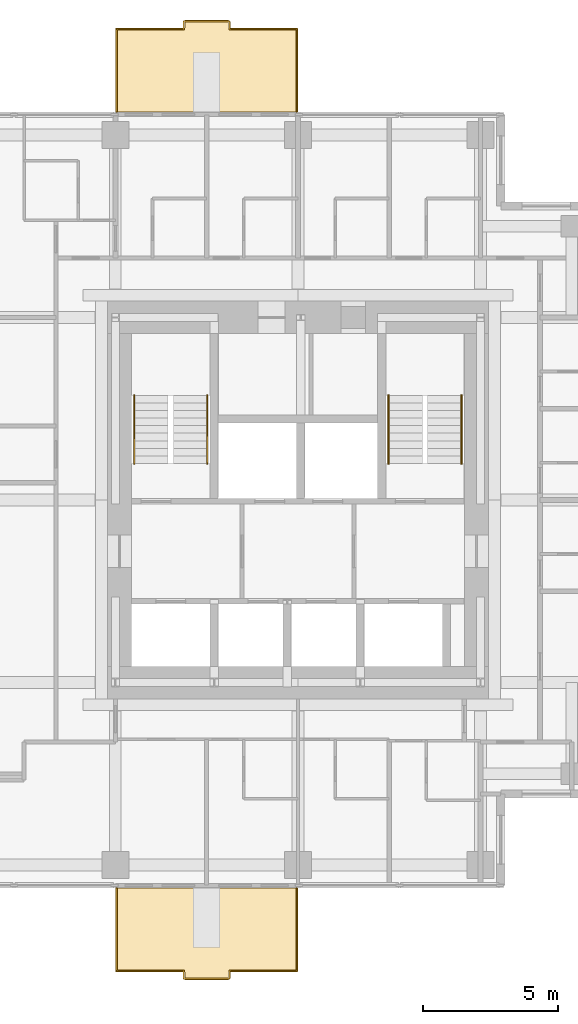
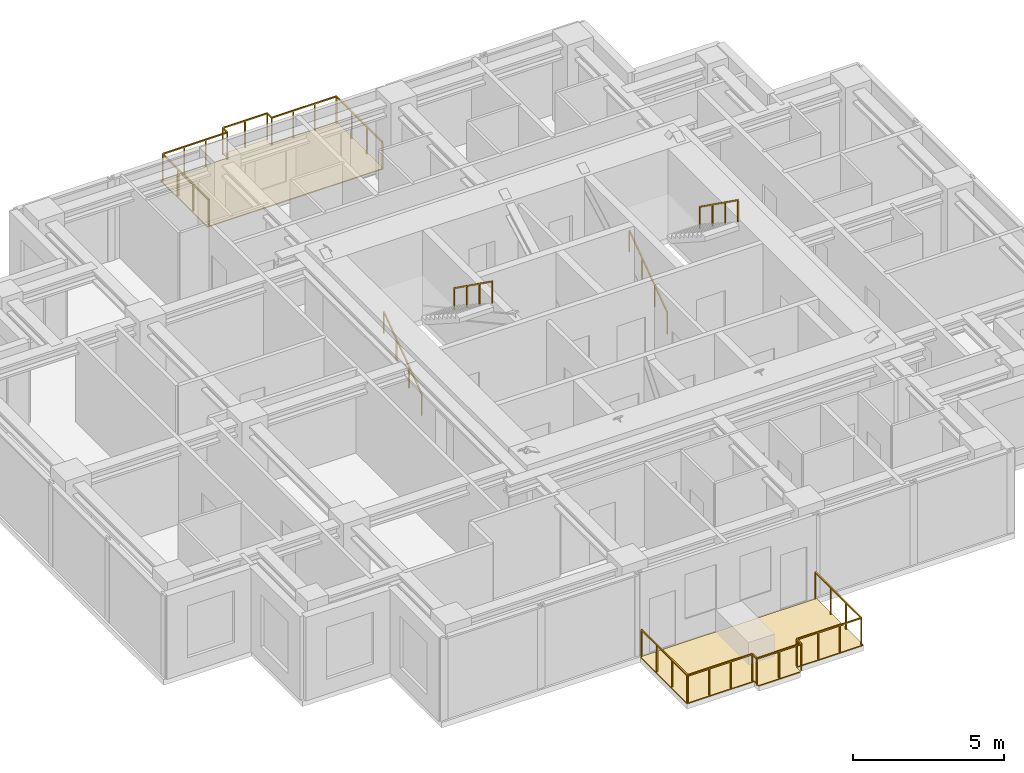
# One storey, part 8 of 8: 6 railings, 2 coverings.
"""IFC4 building model written with IfcOpenShell, lengths in metres."""

from ifc_helpers import new_model, si_unit, direction, frame, origin, origin_2d, place, context, subcontext, project, spatial, polyline, rectangle, outline, extrude, material, layer, layer_set, type_object, element, save


model = new_model("IFC4")

# Units and contexts
model_context = context("Model", 3, precision=1e-05, world=origin(), true_north=direction((0.0, 1.0)))
body_context = subcontext(model_context, "Body", "Model", "MODEL_VIEW")
ifc_project = project(units=[si_unit("LENGTHUNIT", "METRE"), si_unit("AREAUNIT", "SQUARE_METRE"), si_unit("VOLUMEUNIT", "CUBIC_METRE"), si_unit("PLANEANGLEUNIT", "RADIAN"), si_unit("MASSUNIT", "GRAM", prefix="KILO")], contexts=[model_context])

# Site, building, storey
site_placement = place(None, origin())
site = spatial("IfcSite", under=ifc_project, at=site_placement, CompositionType="ELEMENT")
building_placement = place(site_placement, origin())
building = spatial("IfcBuilding", under=site, at=building_placement, Name="Nyansa Garden Tower", CompositionType="ELEMENT")
storey_placement = place(building_placement, frame((0.0, 0.0, 233.10009765625)))
storey = spatial("IfcBuildingStorey", under=building, at=storey_placement, Name="L63", CompositionType="ELEMENT", Elevation=233.10009765625)

# Coverings
ifc_material_1 = material(Name="Hardwood decking on pedestals", Category="wood")
ifc_layer = layer(ifc_material_1, 0.0400390625)
ifc_layer_set = layer_set([ifc_layer], Name="Balcony decking DK40")
covering_type = type_object("IfcCoveringType", Name="Balcony decking DK40", PredefinedType="FLOORING", material=ifc_layer_set)
covering_1_placement = place(storey_placement, frame((0.0, 0.0, -0.0400390625)))
element("IfcCovering", 1, at=covering_1_placement, inside=storey, type_object=covering_type, Name="Balcony decking L63", PredefinedType="FLOORING", context=body_context, shape_type="SweptSolid", body=[
    extrude(outline(polyline([(13.5, 5.89990234375), (20.25, 5.89990234375), (20.25, 2.800048828125), (17.675048828125, 2.800048828125), (17.675048828125, 2.5), (16.074951171875, 2.5), (16.074951171875, 2.800048828125), (13.5, 2.800048828125), (13.5, 5.89990234375)])), origin(), (0.0, 0.0, 1.0), 0.0400390625),
])
covering_2_placement = place(storey_placement, frame((0.0, 0.0, -0.0400390625)))
element("IfcCovering", 2, at=covering_2_placement, inside=storey, type_object=covering_type, Name="Balcony decking L63", PredefinedType="FLOORING", context=body_context, shape_type="SweptSolid", body=[
    extrude(outline(polyline([(13.5, 34.60009765625), (20.25, 34.60009765625), (20.25, 37.699951171875), (17.675048828125, 37.699951171875), (17.675048828125, 38.0), (16.074951171875, 38.0), (16.074951171875, 37.699951171875), (13.5, 37.699951171875), (13.5, 34.60009765625)])), origin(), (0.0, 0.0, 1.0), 0.0400390625),
])

# Railings
ifc_material_2 = material(Name="Black powder-coated steel balusters, laminated glass infill", Category="steel")
railing_type_1 = type_object("IfcRailingType", Name="Balcony guard G1", PredefinedType="GUARDRAIL", material=ifc_material_2)
railing_1_placement = place(storey_placement, frame((13.550048828125, 5.89990234375, 0.0)))
element("IfcRailing", 3, at=railing_1_placement, inside=storey, type_object=railing_type_1, Name="Balcony guard L63", PredefinedType="GUARDRAIL", context=body_context, shape_type="SweptSolid", body=[
    extrude(rectangle(XDim=0.048095703125, YDim=0.048095703125, at=origin_2d()), frame((0.0, 0.0, 1.076171875), z_axis=(0.0, -1.0, 0.0), x_axis=(1.0, 0.0, 0.0)), (0.0, 0.0, 1.0), 3.0498046875),
    extrude(rectangle(XDim=0.048095703125, YDim=0.048095703125, at=origin_2d()), frame((0.0, -3.0498046875, 1.076171875), z_axis=(1.0, 0.0, 0.0), x_axis=(0.0, 1.0, 0.0)), (0.0, 0.0, 1.0), 2.474853515625),
    extrude(rectangle(XDim=0.048095703125, YDim=0.048095703125, at=origin_2d()), frame((2.474853515625, -3.0498046875, 1.076171875), z_axis=(0.0, -1.0, 0.0), x_axis=(1.0, 0.0, 0.0)), (0.0, 0.0, 1.0), 0.300048828125),
    extrude(rectangle(XDim=0.048095703125, YDim=0.048095703125, at=origin_2d()), frame((2.474853515625, -3.349853515625, 1.076171875), z_axis=(1.0, 0.0, 0.0), x_axis=(0.0, 1.0, 0.0)), (0.0, 0.0, 1.0), 1.7001953125),
    extrude(rectangle(XDim=0.048095703125, YDim=0.048095703125, at=origin_2d()), frame((4.175048828125, -3.349853515625, 1.076171875), z_axis=(0.0, 1.0, 0.0), x_axis=(-1.0, 0.0, 0.0)), (0.0, 0.0, 1.0), 0.300048828125),
    extrude(rectangle(XDim=0.048095703125, YDim=0.048095703125, at=origin_2d()), frame((4.175048828125, -3.0498046875, 1.076171875), z_axis=(1.0, 0.0, 0.0), x_axis=(0.0, 1.0, 0.0)), (0.0, 0.0, 1.0), 2.474853515625),
    extrude(rectangle(XDim=0.048095703125, YDim=0.048095703125, at=origin_2d()), frame((6.64990234375, -3.0498046875, 1.076171875), z_axis=(0.0, 1.0, 0.0), x_axis=(-1.0, 0.0, 0.0)), (0.0, 0.0, 1.0), 3.0498046875),
    extrude(rectangle(XDim=0.0419921875, YDim=0.0419921875, at=origin_2d()), origin(), (0.0, 0.0, 1.0), 1.052001953125),
    extrude(rectangle(XDim=0.0419921875, YDim=0.0419921875, at=origin_2d()), frame((0.0, -1.0166015625, 0.0)), (0.0, 0.0, 1.0), 1.052001953125),
    extrude(rectangle(XDim=0.0419921875, YDim=0.0419921875, at=origin_2d()), frame((0.0, -2.033203125, 0.0)), (0.0, 0.0, 1.0), 1.052001953125),
    extrude(rectangle(XDim=0.0419921875, YDim=0.0419921875, at=origin_2d()), frame((0.0, -3.0498046875, 0.0)), (0.0, 0.0, 1.0), 1.052001953125),
    extrude(rectangle(XDim=0.0419921875, YDim=0.0419921875, at=origin_2d()), frame((0.824951171875, -3.0498046875, 0.0)), (0.0, 0.0, 1.0), 1.052001953125),
    extrude(rectangle(XDim=0.0419921875, YDim=0.0419921875, at=origin_2d()), frame((1.64990234375, -3.0498046875, 0.0)), (0.0, 0.0, 1.0), 1.052001953125),
    extrude(rectangle(XDim=0.0419921875, YDim=0.0419921875, at=origin_2d()), frame((2.474853515625, -3.0498046875, 0.0)), (0.0, 0.0, 1.0), 1.052001953125),
    extrude(rectangle(XDim=0.0419921875, YDim=0.0419921875, at=origin_2d()), frame((2.474853515625, -3.349853515625, 0.0)), (0.0, 0.0, 1.0), 1.052001953125),
    extrude(rectangle(XDim=0.0419921875, YDim=0.0419921875, at=origin_2d()), frame((3.324951171875, -3.349853515625, 0.0)), (0.0, 0.0, 1.0), 1.052001953125),
    extrude(rectangle(XDim=0.0419921875, YDim=0.0419921875, at=origin_2d()), frame((4.175048828125, -3.349853515625, 0.0)), (0.0, 0.0, 1.0), 1.052001953125),
    extrude(rectangle(XDim=0.0419921875, YDim=0.0419921875, at=origin_2d()), frame((4.175048828125, -3.0498046875, 0.0)), (0.0, 0.0, 1.0), 1.052001953125),
    extrude(rectangle(XDim=0.0419921875, YDim=0.0419921875, at=origin_2d()), frame((5.0, -3.0498046875, 0.0)), (0.0, 0.0, 1.0), 1.052001953125),
    extrude(rectangle(XDim=0.0419921875, YDim=0.0419921875, at=origin_2d()), frame((5.824951171875, -3.0498046875, 0.0)), (0.0, 0.0, 1.0), 1.052001953125),
    extrude(rectangle(XDim=0.0419921875, YDim=0.0419921875, at=origin_2d()), frame((6.64990234375, -3.0498046875, 0.0)), (0.0, 0.0, 1.0), 1.052001953125),
    extrude(rectangle(XDim=0.0419921875, YDim=0.0419921875, at=origin_2d()), frame((6.64990234375, -2.033203125, 0.0)), (0.0, 0.0, 1.0), 1.052001953125),
    extrude(rectangle(XDim=0.0419921875, YDim=0.0419921875, at=origin_2d()), frame((6.64990234375, -1.0166015625, 0.0)), (0.0, 0.0, 1.0), 1.052001953125),
    extrude(rectangle(XDim=0.0419921875, YDim=0.0419921875, at=origin_2d()), frame((6.64990234375, 0.0, 0.0)), (0.0, 0.0, 1.0), 1.052001953125),
])
railing_2_placement = place(storey_placement, frame((13.550048828125, 34.60009765625, 0.0)))
element("IfcRailing", 4, at=railing_2_placement, inside=storey, type_object=railing_type_1, Name="Balcony guard L63", PredefinedType="GUARDRAIL", context=body_context, shape_type="SweptSolid", body=[
    extrude(rectangle(XDim=0.048095703125, YDim=0.048095703125, at=origin_2d()), frame((0.0, 0.0, 1.076171875), z_axis=(0.0, 1.0, 0.0), x_axis=(-1.0, 0.0, 0.0)), (0.0, 0.0, 1.0), 3.0498046875),
    extrude(rectangle(XDim=0.048095703125, YDim=0.048095703125, at=origin_2d()), frame((0.0, 3.0498046875, 1.076171875), z_axis=(1.0, 0.0, 0.0), x_axis=(0.0, 1.0, 0.0)), (0.0, 0.0, 1.0), 2.474853515625),
    extrude(rectangle(XDim=0.048095703125, YDim=0.048095703125, at=origin_2d()), frame((2.474853515625, 3.0498046875, 1.076171875), z_axis=(0.0, 1.0, 0.0), x_axis=(-1.0, 0.0, 0.0)), (0.0, 0.0, 1.0), 0.300048828125),
    extrude(rectangle(XDim=0.048095703125, YDim=0.048095703125, at=origin_2d()), frame((2.474853515625, 3.349853515625, 1.076171875), z_axis=(1.0, 0.0, 0.0), x_axis=(0.0, 1.0, 0.0)), (0.0, 0.0, 1.0), 1.7001953125),
    extrude(rectangle(XDim=0.048095703125, YDim=0.048095703125, at=origin_2d()), frame((4.175048828125, 3.349853515625, 1.076171875), z_axis=(0.0, -1.0, 0.0), x_axis=(1.0, 0.0, 0.0)), (0.0, 0.0, 1.0), 0.300048828125),
    extrude(rectangle(XDim=0.048095703125, YDim=0.048095703125, at=origin_2d()), frame((4.175048828125, 3.0498046875, 1.076171875), z_axis=(1.0, 0.0, 0.0), x_axis=(0.0, 1.0, 0.0)), (0.0, 0.0, 1.0), 2.474853515625),
    extrude(rectangle(XDim=0.048095703125, YDim=0.048095703125, at=origin_2d()), frame((6.64990234375, 3.0498046875, 1.076171875), z_axis=(0.0, -1.0, 0.0), x_axis=(1.0, 0.0, 0.0)), (0.0, 0.0, 1.0), 3.0498046875),
    extrude(rectangle(XDim=0.0419921875, YDim=0.0419921875, at=origin_2d()), origin(), (0.0, 0.0, 1.0), 1.052001953125),
    extrude(rectangle(XDim=0.0419921875, YDim=0.0419921875, at=origin_2d()), frame((0.0, 1.0166015625, 0.0)), (0.0, 0.0, 1.0), 1.052001953125),
    extrude(rectangle(XDim=0.0419921875, YDim=0.0419921875, at=origin_2d()), frame((0.0, 2.033203125, 0.0)), (0.0, 0.0, 1.0), 1.052001953125),
    extrude(rectangle(XDim=0.0419921875, YDim=0.0419921875, at=origin_2d()), frame((0.0, 3.0498046875, 0.0)), (0.0, 0.0, 1.0), 1.052001953125),
    extrude(rectangle(XDim=0.0419921875, YDim=0.0419921875, at=origin_2d()), frame((0.824951171875, 3.0498046875, 0.0)), (0.0, 0.0, 1.0), 1.052001953125),
    extrude(rectangle(XDim=0.0419921875, YDim=0.0419921875, at=origin_2d()), frame((1.64990234375, 3.0498046875, 0.0)), (0.0, 0.0, 1.0), 1.052001953125),
    extrude(rectangle(XDim=0.0419921875, YDim=0.0419921875, at=origin_2d()), frame((2.474853515625, 3.0498046875, 0.0)), (0.0, 0.0, 1.0), 1.052001953125),
    extrude(rectangle(XDim=0.0419921875, YDim=0.0419921875, at=origin_2d()), frame((2.474853515625, 3.349853515625, 0.0)), (0.0, 0.0, 1.0), 1.052001953125),
    extrude(rectangle(XDim=0.0419921875, YDim=0.0419921875, at=origin_2d()), frame((3.324951171875, 3.349853515625, 0.0)), (0.0, 0.0, 1.0), 1.052001953125),
    extrude(rectangle(XDim=0.0419921875, YDim=0.0419921875, at=origin_2d()), frame((4.175048828125, 3.349853515625, 0.0)), (0.0, 0.0, 1.0), 1.052001953125),
    extrude(rectangle(XDim=0.0419921875, YDim=0.0419921875, at=origin_2d()), frame((4.175048828125, 3.0498046875, 0.0)), (0.0, 0.0, 1.0), 1.052001953125),
    extrude(rectangle(XDim=0.0419921875, YDim=0.0419921875, at=origin_2d()), frame((5.0, 3.0498046875, 0.0)), (0.0, 0.0, 1.0), 1.052001953125),
    extrude(rectangle(XDim=0.0419921875, YDim=0.0419921875, at=origin_2d()), frame((5.824951171875, 3.0498046875, 0.0)), (0.0, 0.0, 1.0), 1.052001953125),
    extrude(rectangle(XDim=0.0419921875, YDim=0.0419921875, at=origin_2d()), frame((6.64990234375, 3.0498046875, 0.0)), (0.0, 0.0, 1.0), 1.052001953125),
    extrude(rectangle(XDim=0.0419921875, YDim=0.0419921875, at=origin_2d()), frame((6.64990234375, 2.033203125, 0.0)), (0.0, 0.0, 1.0), 1.052001953125),
    extrude(rectangle(XDim=0.0419921875, YDim=0.0419921875, at=origin_2d()), frame((6.64990234375, 1.0166015625, 0.0)), (0.0, 0.0, 1.0), 1.052001953125),
    extrude(rectangle(XDim=0.0419921875, YDim=0.0419921875, at=origin_2d()), frame((6.64990234375, 0.0, 0.0)), (0.0, 0.0, 1.0), 1.052001953125),
])
ifc_material_3 = material(Name="Black powder-coated steel tube 48 mm", Category="steel")
railing_type_2 = type_object("IfcRailingType", Name="Stair handrail HR1", PredefinedType="HANDRAIL", material=ifc_material_3)
railing_3_placement = place(storey_placement, frame((14.199951171875, 21.60009765625, 0.0)))
element("IfcRailing", 5, at=railing_3_placement, inside=storey, type_object=railing_type_2, Name="Stair S1 handrail L63", PredefinedType="HANDRAIL", context=body_context, shape_type="SweptSolid", body=[
    extrude(rectangle(XDim=0.048095703125, YDim=0.048095703125, at=origin_2d()), frame((0.0, 0.0, 0.8759765625), z_axis=(0.0, 0.813765431312, 0.581193446971), x_axis=(-1.0, 0.0, 0.0)), (0.0, 0.0, 1.0), 3.0966796875),
    extrude(rectangle(XDim=0.0419921875, YDim=0.0419921875, at=origin_2d()), origin(), (0.0, 0.0, 1.0), 0.851806640625),
    extrude(rectangle(XDim=0.0419921875, YDim=0.0419921875, at=origin_2d()), frame((0.0, 0.840087890625, 0.599853515625)), (0.0, 0.0, 1.0), 0.851806640625),
    extrude(rectangle(XDim=0.0419921875, YDim=0.0419921875, at=origin_2d()), frame((0.0, 1.679931640625, 1.199951171875)), (0.0, 0.0, 1.0), 0.851806640625),
    extrude(rectangle(XDim=0.0419921875, YDim=0.0419921875, at=origin_2d()), frame((0.0, 2.52001953125, 1.7998046875)), (0.0, 0.0, 1.0), 0.851806640625),
])
railing_4_placement = place(storey_placement, frame((16.89990234375, 24.1201171875, 1.7998046875)))
element("IfcRailing", 6, at=railing_4_placement, inside=storey, type_object=railing_type_2, Name="Stair S1 handrail L63", PredefinedType="HANDRAIL", context=body_context, shape_type="SweptSolid", body=[
    extrude(rectangle(XDim=0.048095703125, YDim=0.048095703125, at=origin_2d()), frame((0.0, 0.0, 0.8759765625), z_axis=(0.0, -0.813728144527, 0.581245650998), x_axis=(1.0, 0.0, 0.0)), (0.0, 0.0, 1.0), 3.096923828125),
    extrude(rectangle(XDim=0.0419921875, YDim=0.0419921875, at=origin_2d()), origin(), (0.0, 0.0, 1.0), 0.851806640625),
    extrude(rectangle(XDim=0.0419921875, YDim=0.0419921875, at=origin_2d()), frame((0.0, -0.840087890625, 0.60009765625)), (0.0, 0.0, 1.0), 0.851806640625),
    extrude(rectangle(XDim=0.0419921875, YDim=0.0419921875, at=origin_2d()), frame((0.0, -1.679931640625, 1.199951171875)), (0.0, 0.0, 1.0), 0.851806640625),
    extrude(rectangle(XDim=0.0419921875, YDim=0.0419921875, at=origin_2d()), frame((0.0, -2.52001953125, 1.800048828125)), (0.0, 0.0, 1.0), 0.851806640625),
])
railing_5_placement = place(storey_placement, frame((23.60009765625, 21.60009765625, 0.0)))
element("IfcRailing", 7, at=railing_5_placement, inside=storey, type_object=railing_type_2, Name="Stair S2 handrail L63", PredefinedType="HANDRAIL", context=body_context, shape_type="SweptSolid", body=[
    extrude(rectangle(XDim=0.048095703125, YDim=0.048095703125, at=origin_2d()), frame((0.0, 0.0, 0.8759765625), z_axis=(0.0, 0.813765431312, 0.581193446971), x_axis=(-1.0, 0.0, 0.0)), (0.0, 0.0, 1.0), 3.0966796875),
    extrude(rectangle(XDim=0.0419921875, YDim=0.0419921875, at=origin_2d()), origin(), (0.0, 0.0, 1.0), 0.851806640625),
    extrude(rectangle(XDim=0.0419921875, YDim=0.0419921875, at=origin_2d()), frame((0.0, 0.840087890625, 0.599853515625)), (0.0, 0.0, 1.0), 0.851806640625),
    extrude(rectangle(XDim=0.0419921875, YDim=0.0419921875, at=origin_2d()), frame((0.0, 1.679931640625, 1.199951171875)), (0.0, 0.0, 1.0), 0.851806640625),
    extrude(rectangle(XDim=0.0419921875, YDim=0.0419921875, at=origin_2d()), frame((0.0, 2.52001953125, 1.7998046875)), (0.0, 0.0, 1.0), 0.851806640625),
])
railing_6_placement = place(storey_placement, frame((26.300048828125, 24.1201171875, 1.7998046875)))
element("IfcRailing", 8, at=railing_6_placement, inside=storey, type_object=railing_type_2, Name="Stair S2 handrail L63", PredefinedType="HANDRAIL", context=body_context, shape_type="SweptSolid", body=[
    extrude(rectangle(XDim=0.048095703125, YDim=0.048095703125, at=origin_2d()), frame((0.0, 0.0, 0.8759765625), z_axis=(0.0, -0.813728144527, 0.581245650998), x_axis=(1.0, 0.0, 0.0)), (0.0, 0.0, 1.0), 3.096923828125),
    extrude(rectangle(XDim=0.0419921875, YDim=0.0419921875, at=origin_2d()), origin(), (0.0, 0.0, 1.0), 0.851806640625),
    extrude(rectangle(XDim=0.0419921875, YDim=0.0419921875, at=origin_2d()), frame((0.0, -0.840087890625, 0.60009765625)), (0.0, 0.0, 1.0), 0.851806640625),
    extrude(rectangle(XDim=0.0419921875, YDim=0.0419921875, at=origin_2d()), frame((0.0, -1.679931640625, 1.199951171875)), (0.0, 0.0, 1.0), 0.851806640625),
    extrude(rectangle(XDim=0.0419921875, YDim=0.0419921875, at=origin_2d()), frame((0.0, -2.52001953125, 1.800048828125)), (0.0, 0.0, 1.0), 0.851806640625),
])

save(model, "model.ifc")
